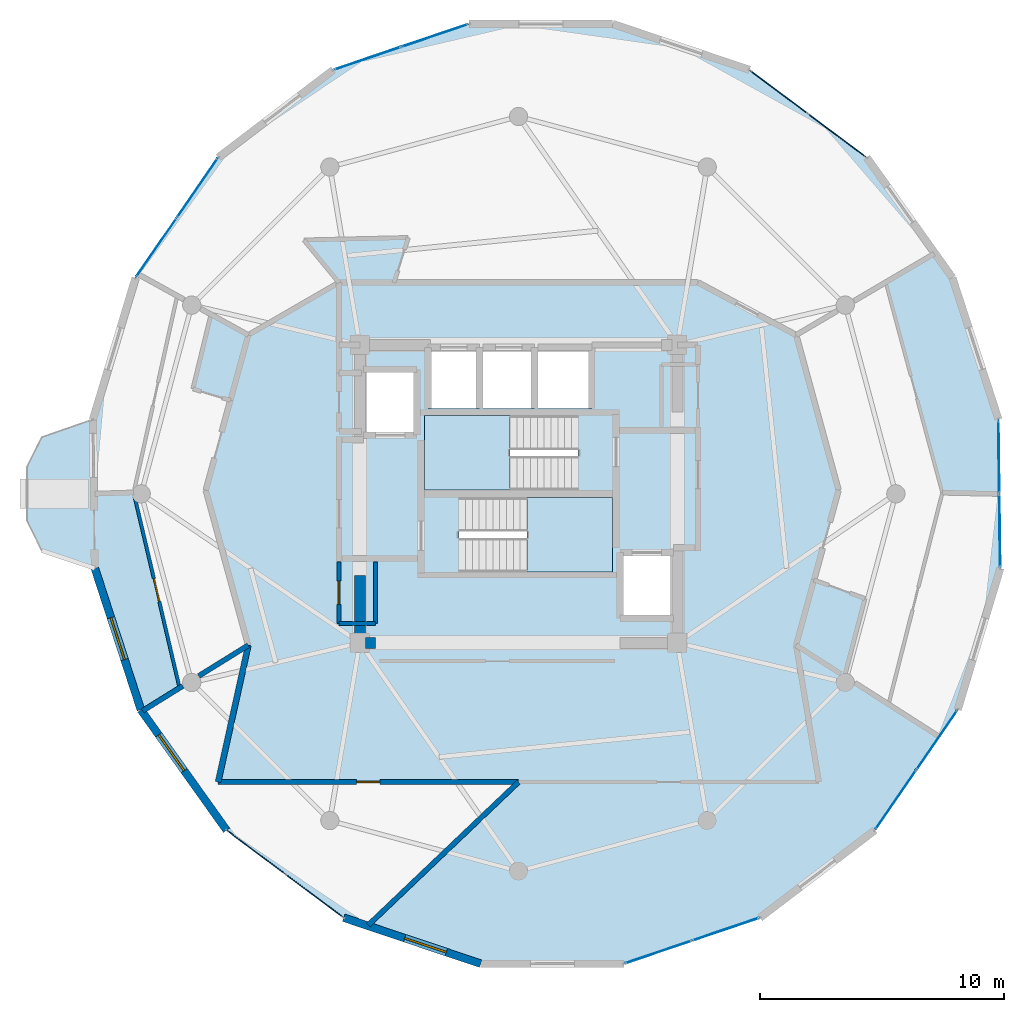
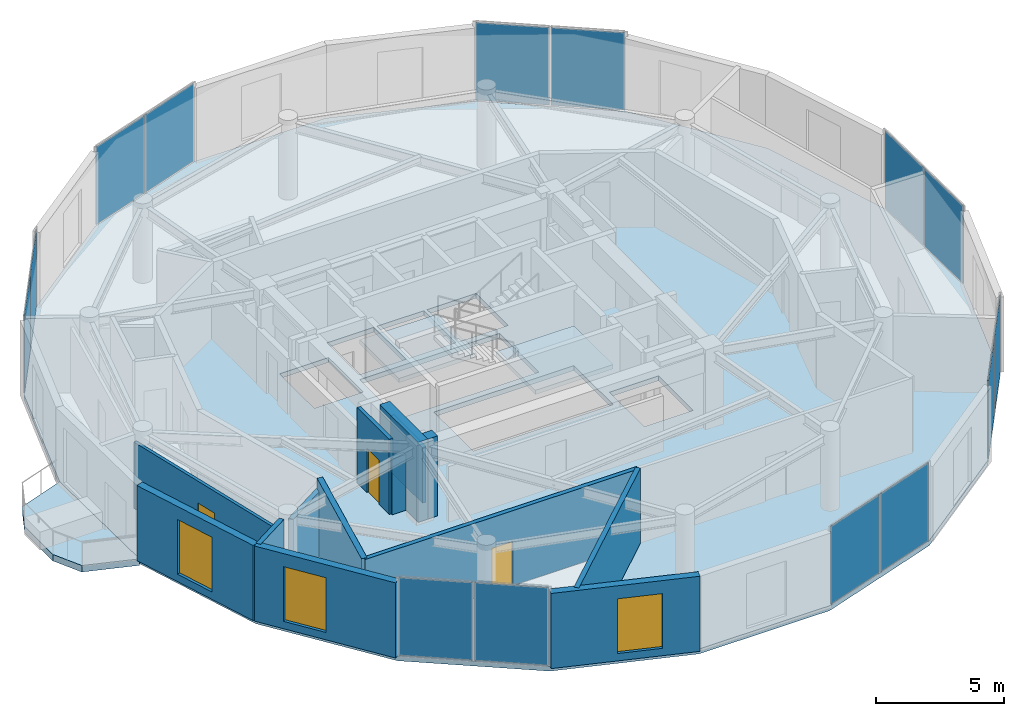
# One storey, part 13 of 18: 14 plates, 14 walls, 4 slabs, 3 doors, 3 windows, 6 openings, 9 elements without a shape of their own.
"""IFC4 building model written with IfcOpenShell, lengths in metres."""

from ifc_helpers import new_model, si_unit, direction, frame, frame_2d, origin, origin_2d, place, context, subcontext, project, spatial, polyline, rectangle, outline, extrude, source, transform, mapped, material, layer, layer_set, type_object, element, fill, aggregate, save


model = new_model("IFC4")

# Units and contexts
model_context = context("Model", 3, precision=1e-05, world=origin(), true_north=direction((0.0, 1.0)))
body_context = subcontext(model_context, "Body", "Model", "MODEL_VIEW")
ifc_project = project(units=[si_unit("LENGTHUNIT", "METRE"), si_unit("AREAUNIT", "SQUARE_METRE"), si_unit("VOLUMEUNIT", "CUBIC_METRE"), si_unit("PLANEANGLEUNIT", "RADIAN"), si_unit("MASSUNIT", "GRAM", prefix="KILO")], contexts=[model_context])

# Site, building, storey
site_placement = place(None, origin())
site = spatial("IfcSite", under=ifc_project, at=site_placement, CompositionType="ELEMENT")
building_placement = place(site_placement, origin())
building = spatial("IfcBuilding", under=site, at=building_placement, Name="Solvirekh Grand Hotel", CompositionType="ELEMENT")
storey_placement = place(building_placement, frame((0.0, 0.0, 250.60009765625)))
storey = spatial("IfcBuildingStorey", under=building, at=storey_placement, Name="L65", CompositionType="ELEMENT", Elevation=250.60009765625)

# Slab
ifc_material_1 = material(Name="Concrete C50/60", Category="concrete")
ifc_layer_1 = layer(ifc_material_1, 0.31005859375)
ifc_layer_set_1 = layer_set([ifc_layer_1], Name="Concrete C50/60")
slab_type_1 = type_object("IfcSlabType", Name="ExtHornSkyGarden_310", PredefinedType="FLOOR", material=ifc_layer_set_1)
slab_1_placement = place(storey_placement, frame((0.0, 0.0, -0.31005859375)))
element("IfcSlab", 1, at=slab_1_placement, inside=storey, type_object=slab_type_1, Name="L65 west horn sky-garden deck", PredefinedType="FLOOR", context=body_context, shape_type="SweptSolid", body=[
    extrude(outline(polyline([(-19.52490234375, 2.31396484375), (-20.125, 1.094970703125), (-20.125, -1.09912109375), (-19.52490234375, -2.318115234375), (-17.35009765625, -3.049072265625), (-17.425048828125, 3.044921875), (-19.52490234375, 2.31396484375)])), origin(), (0.0, 0.0, 1.0), 0.31005859375),
])

# Stair, slab
ifc_material_2 = material(Name="Concrete C40/50", Category="concrete")
stair_type = type_object("IfcStairType", Name="Stair_Core_1450", PredefinedType="HALF_TURN_STAIR", material=ifc_material_2)
stair_1_placement = place(storey_placement, origin())
stair_1 = element("IfcStair", 2, at=stair_1_placement, inside=storey, type_object=stair_type, Name="L65 Enclosed exit stair ST-1", PredefinedType="HALF_TURN_STAIR")
ifc_layer_2 = layer(ifc_material_2, 0.199951171875)
ifc_layer_set_2 = layer_set([ifc_layer_2], Name="Concrete C40/50")
slab_type_2 = type_object("IfcSlabType", Name="Landing_Stair_200", PredefinedType="LANDING", material=ifc_layer_set_2)
slab_2_placement = place(storey_placement, frame((0.0, 0.0, 1.699951171875)))
slab_2 = element("IfcSlab", 3, at=slab_2_placement, type_object=slab_type_2, Name="ST-1 landing 1", PredefinedType="LANDING", context=body_context, shape_type="SweptSolid", body=[
    extrude(outline(polyline([(0.35009765625, -3.199951171875), (3.85009765625, -3.199951171875), (3.85009765625, -0.14990234375), (0.35009765625, -0.14990234375), (0.35009765625, -3.199951171875)])), origin(), (0.0, 0.0, 1.0), 0.199951171875),
])
aggregate(stair_1, [slab_2])

stair_2_placement = place(storey_placement, origin())
stair_2 = element("IfcStair", 4, at=stair_2_placement, inside=storey, type_object=stair_type, Name="L65 Enclosed exit stair ST-2", PredefinedType="HALF_TURN_STAIR")
slab_3_placement = place(storey_placement, frame((0.0, 0.0, 1.699951171875)))
slab_3 = element("IfcSlab", 5, at=slab_3_placement, type_object=slab_type_2, Name="ST-2 landing 1", PredefinedType="LANDING", context=body_context, shape_type="SweptSolid", body=[
    extrude(outline(polyline([(-0.35009765625, 3.199951171875), (-3.85009765625, 3.199951171875), (-3.85009765625, 0.14990234375), (-0.35009765625, 0.14990234375), (-0.35009765625, 3.199951171875)])), origin(), (0.0, 0.0, 1.0), 0.199951171875),
])
aggregate(stair_2, [slab_3])

# Slab
ifc_layer_3 = layer(ifc_material_2, 0.22998046875)
ifc_layer_set_3 = layer_set([ifc_layer_3], Name="Concrete C40/50")
slab_type_3 = type_object("IfcSlabType", Name="Slab_GuestZ4_230", PredefinedType="FLOOR", material=ifc_layer_set_3)
slab_4_placement = place(storey_placement, frame((0.0, 0.0, -0.22998046875)))
element("IfcSlab", 6, at=slab_4_placement, inside=storey, type_object=slab_type_3, Name="L65 structural floor slab", PredefinedType="FLOOR", context=body_context, shape_type="SweptSolid", body=[
    extrude(outline(polyline([(4.321044921875, -19.239990234375), (9.883056640625, -17.35595703125), (14.590087890625, -13.77294921875), (17.98095703125, -8.842041015625), (19.72509765625, -3.044921875), (19.64990234375, 3.049072265625), (17.764892578125, 8.845947265625), (14.2529296875, 13.77587890625), (9.458984375, 17.35791015625), (3.85107421875, 19.240966796875), (-2.02099609375, 19.239990234375), (-7.5830078125, 17.35595703125), (-12.2900390625, 13.77294921875), (-15.680908203125, 8.842041015625), (-17.425048828125, 3.044921875), (-17.35009765625, -3.049072265625), (-15.465087890625, -8.845947265625), (-11.952880859375, -13.77587890625), (-7.158935546875, -17.35791015625), (-1.551025390625, -19.240966796875), (4.321044921875, -19.239990234375)]), holes=[polyline([(-2.444091796875, -0.14990234375), (3.85009765625, -0.14990234375), (3.85009765625, -3.199951171875), (-2.444091796875, -3.199951171875), (-2.444091796875, -0.14990234375)]), polyline([(2.444091796875, 0.14990234375), (-3.85009765625, 0.14990234375), (-3.85009765625, 3.199951171875), (2.444091796875, 3.199951171875), (2.444091796875, 0.14990234375)]), polyline([(-3.699951171875, 6.0), (-1.60009765625, 6.0), (-1.60009765625, 3.5), (-3.699951171875, 3.5), (-3.699951171875, 6.0)]), polyline([(-1.449951171875, 6.0), (0.64990234375, 6.0), (0.64990234375, 3.5), (-1.449951171875, 3.5), (-1.449951171875, 6.0)]), polyline([(0.800048828125, 6.0), (3.0, 6.0), (3.0, 3.5), (0.800048828125, 3.5), (0.800048828125, 6.0)]), polyline([(-6.35009765625, 5.10009765625), (-4.14990234375, 5.10009765625), (-4.14990234375, 2.39990234375), (-6.35009765625, 2.39990234375), (-6.35009765625, 5.10009765625)]), polyline([(4.14990234375, -2.39990234375), (6.35009765625, -2.39990234375), (6.35009765625, -5.10009765625), (4.14990234375, -5.10009765625), (4.14990234375, -2.39990234375)])]), origin(), (0.0, 0.0, 1.0), 0.22998046875),
])

# Curtain wall, plates
ifc_material_3 = material(Name="Anodized Bronze Aluminium 6063-T6", Category="aluminium")
ifc_layer_4 = layer(ifc_material_3, 0.159912109375)
ifc_layer_set_4 = layer_set([ifc_layer_4], Name="Anodized Bronze Aluminium 6063-T6")
curtain_wall_type = type_object("IfcCurtainWallType", Name="CW_Sys4_HighZoneFlushBronzeCW", PredefinedType="NOTDEFINED", material=ifc_layer_set_4)
curtain_wall_1_placement = place(storey_placement, origin())
curtain_wall_1 = element("IfcCurtainWall", 7, at=curtain_wall_1_placement, inside=storey, type_object=curtain_wall_type, Name="L65 unitised bronze-glass curtain wall CW-L65-C03", PredefinedType="NOTDEFINED")
ifc_material_4 = material(Name="Low-E Tinted Bronze Laminated Glass", Category="aluminium")
ifc_layer_5 = layer(ifc_material_4, 0.033935546875)
ifc_layer_set_5 = layer_set([ifc_layer_5], Name="Low-E Tinted Bronze Laminated Glass")
plate_type = type_object("IfcPlateType", Name="CWPanel_High_34", PredefinedType="CURTAIN_PANEL", material=ifc_layer_set_5)
shared_shape_1 = source(origin(), body_context, "Body", "SweptSolid", [
    extrude(rectangle(XDim=2.90234375, YDim=0.033935546875, at=origin_2d()), origin(), (0.0, 0.0, 1.0), 3.68994140625),
])
plate_1_placement = place(storey_placement, frame((15.4462890625, -12.52783203125, 0.054931640625), z_axis=(0.0, 0.0, 1.0), x_axis=(0.566635194661, 0.823968783493, 0.0)))
plate_1 = element("IfcPlate", 8, at=plate_1_placement, type_object=plate_type, Name="U04 panel 1.1", PredefinedType="CURTAIN_PANEL", context=body_context, shape_type="MappedRepresentation", body=[
    mapped(shared_shape_1, transform((0.0, 0.0, 0.0), x_axis=(1.0, 0.0, 0.0), y_axis=(0.0, 1.0, 0.0), z_axis=(0.0, 0.0, 1.0), scale=1.0)),
])
plate_2_placement = place(storey_placement, frame((17.124755859375, -10.087158203125, 0.054931640625), z_axis=(0.0, 0.0, 1.0), x_axis=(0.566635194661, 0.823968783493, 0.0)))
plate_2 = element("IfcPlate", 9, at=plate_2_placement, type_object=plate_type, Name="U04 panel 2.1", PredefinedType="CURTAIN_PANEL", context=body_context, shape_type="MappedRepresentation", body=[
    mapped(shared_shape_1, transform((0.0, 0.0, 0.0), x_axis=(1.0, 0.0, 0.0), y_axis=(0.0, 1.0, 0.0), z_axis=(0.0, 0.0, 1.0), scale=1.0)),
])
aggregate(curtain_wall_1, [plate_1, plate_2])

curtain_wall_2_placement = place(storey_placement, origin())
curtain_wall_2 = element("IfcCurtainWall", 10, at=curtain_wall_2_placement, inside=storey, type_object=curtain_wall_type, Name="L65 unitised bronze-glass curtain wall CW-L65-C13", PredefinedType="NOTDEFINED")
plate_3_placement = place(storey_placement, frame((-13.146240234375, 12.52783203125, 0.054931640625), z_axis=(0.0, 0.0, 1.0), x_axis=(-0.566635194661, -0.823968783493, 0.0)))
plate_3 = element("IfcPlate", 11, at=plate_3_placement, type_object=plate_type, Name="U04 panel 1.1", PredefinedType="CURTAIN_PANEL", context=body_context, shape_type="MappedRepresentation", body=[
    mapped(shared_shape_1, transform((0.0, 0.0, 0.0), x_axis=(1.0, 0.0, 0.0), y_axis=(0.0, 1.0, 0.0), z_axis=(0.0, 0.0, 1.0), scale=1.0)),
])
plate_4_placement = place(storey_placement, frame((-14.82470703125, 10.087158203125, 0.054931640625), z_axis=(0.0, 0.0, 1.0), x_axis=(-0.566635194661, -0.823968783493, 0.0)))
plate_4 = element("IfcPlate", 12, at=plate_4_placement, type_object=plate_type, Name="U04 panel 2.1", PredefinedType="CURTAIN_PANEL", context=body_context, shape_type="MappedRepresentation", body=[
    mapped(shared_shape_1, transform((0.0, 0.0, 0.0), x_axis=(1.0, 0.0, 0.0), y_axis=(0.0, 1.0, 0.0), z_axis=(0.0, 0.0, 1.0), scale=1.0)),
])
aggregate(curtain_wall_2, [plate_3, plate_4])

curtain_wall_3_placement = place(storey_placement, origin())
curtain_wall_3 = element("IfcCurtainWall", 13, at=curtain_wall_3_placement, inside=storey, type_object=curtain_wall_type, Name="L65 unitised bronze-glass curtain wall CW-L65-C01", PredefinedType="NOTDEFINED")
shared_shape_2 = source(origin(), body_context, "Body", "SweptSolid", [
    extrude(rectangle(XDim=2.84619140625, YDim=0.033935546875, at=origin_2d()), origin(), (0.0, 0.0, 1.0), 3.68994140625),
])
plate_5_placement = place(storey_placement, frame((5.7255859375, -18.76416015625, 0.054931640625), z_axis=(0.0, 0.0, 1.0), x_axis=(0.947139568225, 0.32082181706, 0.0)))
plate_5 = element("IfcPlate", 14, at=plate_5_placement, type_object=plate_type, Name="U04 panel 1.1", PredefinedType="CURTAIN_PANEL", context=body_context, shape_type="MappedRepresentation", body=[
    mapped(shared_shape_2, transform((0.0, 0.0, 0.0), x_axis=(1.0, 0.0, 0.0), y_axis=(0.0, 1.0, 0.0), z_axis=(0.0, 0.0, 1.0), scale=1.0)),
])
plate_6_placement = place(storey_placement, frame((8.478271484375, -17.831787109375, 0.054931640625), z_axis=(0.0, 0.0, 1.0), x_axis=(0.947139568225, 0.32082181706, 0.0)))
plate_6 = element("IfcPlate", 15, at=plate_6_placement, type_object=plate_type, Name="U04 panel 2.1", PredefinedType="CURTAIN_PANEL", context=body_context, shape_type="MappedRepresentation", body=[
    mapped(shared_shape_2, transform((0.0, 0.0, 0.0), x_axis=(1.0, 0.0, 0.0), y_axis=(0.0, 1.0, 0.0), z_axis=(0.0, 0.0, 1.0), scale=1.0)),
])
aggregate(curtain_wall_3, [plate_5, plate_6])

curtain_wall_4_placement = place(storey_placement, origin())
curtain_wall_4 = element("IfcCurtainWall", 16, at=curtain_wall_4_placement, inside=storey, type_object=curtain_wall_type, Name="L65 unitised bronze-glass curtain wall CW-L65-C11", PredefinedType="NOTDEFINED")
plate_7_placement = place(storey_placement, frame((-3.42578125, 18.76416015625, 0.054931640625), z_axis=(0.0, 0.0, 1.0), x_axis=(-0.947139568225, -0.32082181706, 0.0)))
plate_7 = element("IfcPlate", 17, at=plate_7_placement, type_object=plate_type, Name="U04 panel 1.1", PredefinedType="CURTAIN_PANEL", context=body_context, shape_type="MappedRepresentation", body=[
    mapped(shared_shape_2, transform((0.0, 0.0, 0.0), x_axis=(1.0, 0.0, 0.0), y_axis=(0.0, 1.0, 0.0), z_axis=(0.0, 0.0, 1.0), scale=1.0)),
])
plate_8_placement = place(storey_placement, frame((-6.17822265625, 17.831787109375, 0.054931640625), z_axis=(0.0, 0.0, 1.0), x_axis=(-0.947139568225, -0.32082181706, 0.0)))
plate_8 = element("IfcPlate", 18, at=plate_8_placement, type_object=plate_type, Name="U04 panel 2.1", PredefinedType="CURTAIN_PANEL", context=body_context, shape_type="MappedRepresentation", body=[
    mapped(shared_shape_2, transform((0.0, 0.0, 0.0), x_axis=(1.0, 0.0, 0.0), y_axis=(0.0, 1.0, 0.0), z_axis=(0.0, 0.0, 1.0), scale=1.0)),
])
aggregate(curtain_wall_4, [plate_7, plate_8])

curtain_wall_5_placement = place(storey_placement, origin())
curtain_wall_5 = element("IfcCurtainWall", 19, at=curtain_wall_5_placement, inside=storey, type_object=curtain_wall_type, Name="L65 unitised bronze-glass curtain wall CW-L65-C05", PredefinedType="NOTDEFINED")
shared_shape_3 = source(origin(), body_context, "Body", "SweptSolid", [
    extrude(rectangle(XDim=2.957275390625, YDim=0.033935546875, at=origin_2d()), origin(), (0.0, 0.0, 1.0), 3.68994140625),
])
plate_9_placement = place(storey_placement, frame((19.7060546875, -1.506591796875, 0.054931640625), z_axis=(0.0, 0.0, 1.0), x_axis=(-0.012306255446, 0.999924275171, 0.0)))
plate_9 = element("IfcPlate", 20, at=plate_9_placement, type_object=plate_type, Name="U04 panel 1.1", PredefinedType="CURTAIN_PANEL", context=body_context, shape_type="MappedRepresentation", body=[
    mapped(shared_shape_3, transform((0.0, 0.0, 0.0), x_axis=(1.0, 0.0, 0.0), y_axis=(0.0, 1.0, 0.0), z_axis=(0.0, 0.0, 1.0), scale=1.0)),
])
plate_10_placement = place(storey_placement, frame((19.6689453125, 1.510498046875, 0.054931640625), z_axis=(0.0, 0.0, 1.0), x_axis=(-0.012306255446, 0.999924275171, 0.0)))
plate_10 = element("IfcPlate", 21, at=plate_10_placement, type_object=plate_type, Name="U04 panel 2.1", PredefinedType="CURTAIN_PANEL", context=body_context, shape_type="MappedRepresentation", body=[
    mapped(shared_shape_3, transform((0.0, 0.0, 0.0), x_axis=(1.0, 0.0, 0.0), y_axis=(0.0, 1.0, 0.0), z_axis=(0.0, 0.0, 1.0), scale=1.0)),
])
aggregate(curtain_wall_5, [plate_9, plate_10])

curtain_wall_6_placement = place(storey_placement, origin())
curtain_wall_6 = element("IfcCurtainWall", 22, at=curtain_wall_6_placement, inside=storey, type_object=curtain_wall_type, Name="L65 unitised bronze-glass curtain wall CW-L65-C08", PredefinedType="NOTDEFINED")
shared_shape_4 = source(origin(), body_context, "Body", "SweptSolid", [
    extrude(rectangle(XDim=2.902099609375, YDim=0.033935546875, at=origin_2d()), origin(), (0.0, 0.0, 1.0), 3.68994140625),
])
plate_11_placement = place(storey_placement, frame((13.04248046875, 14.680419921875, 0.054931640625), z_axis=(0.0, 0.0, 1.0), x_axis=(-0.801081510791, 0.598555271523, 0.0)))
plate_11 = element("IfcPlate", 23, at=plate_11_placement, type_object=plate_type, Name="U04 panel 1.1", PredefinedType="CURTAIN_PANEL", context=body_context, shape_type="MappedRepresentation", body=[
    mapped(shared_shape_4, transform((0.0, 0.0, 0.0), x_axis=(1.0, 0.0, 0.0), y_axis=(0.0, 1.0, 0.0), z_axis=(0.0, 0.0, 1.0), scale=1.0)),
])
plate_12_placement = place(storey_placement, frame((10.66943359375, 16.45361328125, 0.054931640625), z_axis=(0.0, 0.0, 1.0), x_axis=(-0.801081510791, 0.598555271523, 0.0)))
plate_12 = element("IfcPlate", 24, at=plate_12_placement, type_object=plate_type, Name="U04 panel 2.1", PredefinedType="CURTAIN_PANEL", context=body_context, shape_type="MappedRepresentation", body=[
    mapped(shared_shape_4, transform((0.0, 0.0, 0.0), x_axis=(1.0, 0.0, 0.0), y_axis=(0.0, 1.0, 0.0), z_axis=(0.0, 0.0, 1.0), scale=1.0)),
])
aggregate(curtain_wall_6, [plate_11, plate_12])

curtain_wall_7_placement = place(storey_placement, origin())
curtain_wall_7 = element("IfcCurtainWall", 25, at=curtain_wall_7_placement, inside=storey, type_object=curtain_wall_type, Name="L65 unitised bronze-glass curtain wall CW-L65-C18", PredefinedType="NOTDEFINED")
plate_13_placement = place(storey_placement, frame((-10.742431640625, -14.680419921875, 0.054931640625), z_axis=(0.0, 0.0, 1.0), x_axis=(0.801081510791, -0.598555271523, 0.0)))
plate_13 = element("IfcPlate", 26, at=plate_13_placement, type_object=plate_type, Name="U04 panel 1.1", PredefinedType="CURTAIN_PANEL", context=body_context, shape_type="MappedRepresentation", body=[
    mapped(shared_shape_4, transform((0.0, 0.0, 0.0), x_axis=(1.0, 0.0, 0.0), y_axis=(0.0, 1.0, 0.0), z_axis=(0.0, 0.0, 1.0), scale=1.0)),
])
plate_14_placement = place(storey_placement, frame((-8.36962890625, -16.45361328125, 0.054931640625), z_axis=(0.0, 0.0, 1.0), x_axis=(0.801081510791, -0.598555271523, 0.0)))
plate_14 = element("IfcPlate", 27, at=plate_14_placement, type_object=plate_type, Name="U04 panel 2.1", PredefinedType="CURTAIN_PANEL", context=body_context, shape_type="MappedRepresentation", body=[
    mapped(shared_shape_4, transform((0.0, 0.0, 0.0), x_axis=(1.0, 0.0, 0.0), y_axis=(0.0, 1.0, 0.0), z_axis=(0.0, 0.0, 1.0), scale=1.0)),
])
aggregate(curtain_wall_7, [plate_13, plate_14])

# Walls
ifc_layer_6 = layer(ifc_material_1, 0.449951171875)
ifc_layer_set_6 = layer_set([ifc_layer_6], Name="Concrete C50/60")
wall_type_1 = type_object("IfcWallType", Name="CoreWall_RC450", PredefinedType="SHEAR", material=ifc_layer_set_6)
wall_1_placement = place(storey_placement, frame((-6.27490234375, -6.10009765625, 0.0), z_axis=(0.0, 0.0, 1.0), x_axis=(1.0, 0.0, 0.0)))
element("IfcWall", 28, at=wall_1_placement, inside=storey, type_object=wall_type_1, Name="L65 core corner shear wall SW-S", PredefinedType="SHEAR", context=body_context, shape_type="SweptSolid", body=[
    extrude(rectangle(XDim=0.4248046875, YDim=0.449951171875, at=frame_2d((0.21240234375, 0.0))), origin(), (0.0, 0.0, 1.0), 3.7998046875),
])
wall_2_placement = place(storey_placement, frame((-6.5, -6.324951171875, 0.0), z_axis=(0.0, 0.0, 1.0), x_axis=(0.0, 1.0, 0.0)))
element("IfcWall", 29, at=wall_2_placement, inside=storey, type_object=wall_type_1, Name="L65 core corner shear wall WS-W", PredefinedType="SHEAR", context=body_context, shape_type="SweptSolid", body=[
    extrude(rectangle(XDim=2.974853515625, YDim=0.449951171875, at=frame_2d((1.4873046875, 0.0))), origin(), (0.0, 0.0, 1.0), 3.7998046875),
])

# Wall, opening, window
ifc_material_5 = material(Name="Precast concrete C45/55", Category="concrete")
ifc_layer_7 = layer(ifc_material_5, 0.320068359375)
ifc_layer_set_7 = layer_set([ifc_layer_7], Name="Precast concrete C45/55")
wall_type_2 = type_object("IfcWallType", Name="ExtLobbyWall_RC320", PredefinedType="SOLIDWALL", material=ifc_layer_set_7)
wall_3_placement = place(storey_placement, frame((-15.465087890625, -8.845947265625, 0.0), z_axis=(0.0, 0.0, 1.0), x_axis=(-0.309238214559, 0.950984609053, 0.0)))
wall_3 = element("IfcWall", 30, at=wall_3_placement, inside=storey, type_object=wall_type_2, Name="L65 exterior structural wall chord 16", PredefinedType="SOLIDWALL", context=body_context, shape_type="SweptSolid", body=[
    extrude(rectangle(XDim=6.095703125, YDim=0.320068359375, at=frame_2d((3.0478515625, 0.0))), origin(), (0.0, 0.0, 1.0), 3.56982421875),
])
opening_1_placement = place(wall_3_placement, frame((2.16796875, 0.0, 0.35009765625)))
opening_1 = element("IfcOpeningElement", 31, at=opening_1_placement, cuts=wall_3, Name="Opening W02", PredefinedType="OPENING", context=body_context, shape_type="SweptSolid", body=[
    extrude(rectangle(XDim=1.800048828125, YDim=2.60009765625, at=frame_2d((0.89990234375, 1.300048828125))), frame((0.0, 0.169921875, 0.0), z_axis=(0.0, -1.0, 0.0), x_axis=(1.0, 0.0, 0.0)), (0.0, 0.0, 1.0), 0.340087890625),
])
window_type = type_object("IfcWindowType", Name="Win_LobbyExt_1800X2600", PartitioningType="SINGLE_PANEL", PredefinedType="WINDOW", material=ifc_material_4)
window_1_placement = place(opening_1_placement, origin())
window_1 = element("IfcWindow", 32, at=window_1_placement, inside=storey, type_object=window_type, Name="L65 panoramic bronze-framed window 16", OverallHeight=2.60009765625, OverallWidth=1.800048828125, PartitioningType="SINGLE_PANEL", PredefinedType="WINDOW", context=body_context, shape_type="SweptSolid", body=[
    extrude(rectangle(XDim=1.800048828125, YDim=2.60009765625, at=frame_2d((0.89990234375, 1.300048828125))), frame((0.0, 0.030029296875, 0.0), z_axis=(0.0, -1.0, 0.0), x_axis=(1.0, 0.0, 0.0)), (0.0, 0.0, 1.0), 0.06005859375),
])
fill(opening_1, window_1)

wall_4_placement = place(storey_placement, frame((-11.952880859375, -13.77587890625, 0.0), z_axis=(0.0, 0.0, 1.0), x_axis=(-0.580234325627, 0.814449585526, 0.0)))
wall_4 = element("IfcWall", 33, at=wall_4_placement, inside=storey, type_object=wall_type_2, Name="L65 exterior structural wall chord 17", PredefinedType="SOLIDWALL", context=body_context, shape_type="SweptSolid", body=[
    extrude(rectangle(XDim=6.052978515625, YDim=0.320068359375, at=frame_2d((3.0263671875, 0.0))), origin(), (0.0, 0.0, 1.0), 3.56982421875),
])
opening_2_placement = place(wall_4_placement, frame((2.993896484375, 0.0, 0.35009765625)))
opening_2 = element("IfcOpeningElement", 34, at=opening_2_placement, cuts=wall_4, Name="Opening W02", PredefinedType="OPENING", context=body_context, shape_type="SweptSolid", body=[
    extrude(rectangle(XDim=1.800048828125, YDim=2.60009765625, at=frame_2d((0.89990234375, 1.300048828125))), frame((0.0, 0.169921875, 0.0), z_axis=(0.0, -1.0, 0.0), x_axis=(1.0, 0.0, 0.0)), (0.0, 0.0, 1.0), 0.340087890625),
])
window_2_placement = place(opening_2_placement, origin())
window_2 = element("IfcWindow", 35, at=window_2_placement, inside=storey, type_object=window_type, Name="L65 panoramic bronze-framed window 17", OverallHeight=2.60009765625, OverallWidth=1.800048828125, PartitioningType="SINGLE_PANEL", PredefinedType="WINDOW", context=body_context, shape_type="SweptSolid", body=[
    extrude(rectangle(XDim=1.800048828125, YDim=2.60009765625, at=frame_2d((0.89990234375, 1.300048828125))), frame((0.0, 0.030029296875, 0.0), z_axis=(0.0, -1.0, 0.0), x_axis=(1.0, 0.0, 0.0)), (0.0, 0.0, 1.0), 0.06005859375),
])
fill(opening_2, window_2)

wall_5_placement = place(storey_placement, frame((-1.551025390625, -19.240966796875, 0.0), z_axis=(0.0, 0.0, 1.0), x_axis=(-0.947983518986, 0.31831941149, 0.0)))
wall_5 = element("IfcWall", 36, at=wall_5_placement, inside=storey, type_object=wall_type_2, Name="L65 exterior structural wall chord 19", PredefinedType="SOLIDWALL", context=body_context, shape_type="SweptSolid", body=[
    extrude(rectangle(XDim=5.91552734375, YDim=0.320068359375, at=frame_2d((2.957763671875, 0.0))), origin(), (0.0, 0.0, 1.0), 3.56982421875),
])
opening_3_placement = place(wall_5_placement, frame((1.48095703125, 0.0, 0.35009765625)))
opening_3 = element("IfcOpeningElement", 37, at=opening_3_placement, cuts=wall_5, Name="Opening W02", PredefinedType="OPENING", context=body_context, shape_type="SweptSolid", body=[
    extrude(rectangle(XDim=1.800048828125, YDim=2.60009765625, at=frame_2d((0.89990234375, 1.300048828125))), frame((0.0, 0.169921875, 0.0), z_axis=(0.0, -1.0, 0.0), x_axis=(1.0, 0.0, 0.0)), (0.0, 0.0, 1.0), 0.340087890625),
])
window_3_placement = place(opening_3_placement, origin())
window_3 = element("IfcWindow", 38, at=window_3_placement, inside=storey, type_object=window_type, Name="L65 panoramic bronze-framed window 19", OverallHeight=2.60009765625, OverallWidth=1.800048828125, PartitioningType="SINGLE_PANEL", PredefinedType="WINDOW", context=body_context, shape_type="SweptSolid", body=[
    extrude(rectangle(XDim=1.800048828125, YDim=2.60009765625, at=frame_2d((0.89990234375, 1.300048828125))), frame((0.0, 0.030029296875, 0.0), z_axis=(0.0, -1.0, 0.0), x_axis=(1.0, 0.0, 0.0)), (0.0, 0.0, 1.0), 0.06005859375),
])
fill(opening_3, window_3)

# Walls
ifc_material_6 = material(Name="Acoustic Gypsum Partition Assembly")
ifc_layer_8 = layer(ifc_material_6, 0.1650390625)
ifc_layer_set_8 = layer_set([ifc_layer_8], Name="Acoustic Gypsum Partition Assembly")
wall_type_3 = type_object("IfcWallType", Name="Part_BOH_165", PredefinedType="PARTITIONING", material=ifc_layer_set_8)
wall_6_placement = place(storey_placement, frame((-7.35009765625, -5.300048828125, 0.0), z_axis=(0.0, 0.0, 1.0), x_axis=(1.0, 0.0, 0.0)))
element("IfcWall", 39, at=wall_6_placement, inside=storey, type_object=wall_type_3, Name="L65 L65 Core Linen Store wall 1", PredefinedType="PARTITIONING", context=body_context, shape_type="SweptSolid", body=[
    extrude(rectangle(XDim=1.5, YDim=0.1650390625, at=frame_2d((0.75, 0.0))), origin(), (0.0, 0.0, 1.0), 2.65478515625),
])
wall_7_placement = place(storey_placement, frame((-5.85009765625, -5.300048828125, 0.0), z_axis=(0.0, 0.0, 1.0), x_axis=(0.0, 1.0, 0.0)))
element("IfcWall", 40, at=wall_7_placement, inside=storey, type_object=wall_type_3, Name="L65 L65 Core Linen Store wall 2", PredefinedType="PARTITIONING", context=body_context, shape_type="SweptSolid", body=[
    extrude(rectangle(XDim=2.5, YDim=0.1650390625, at=frame_2d((1.25, 0.0))), origin(), (0.0, 0.0, 1.0), 2.65478515625),
])

# Wall, opening, door
wall_8_placement = place(storey_placement, frame((-7.35009765625, -2.800048828125, 0.0), z_axis=(0.0, 0.0, 1.0), x_axis=(0.0, -1.0, 0.0)))
wall_8 = element("IfcWall", 41, at=wall_8_placement, inside=storey, type_object=wall_type_3, Name="L65 L65 Core Linen Store wall 4", PredefinedType="PARTITIONING", context=body_context, shape_type="SweptSolid", body=[
    extrude(rectangle(XDim=2.5, YDim=0.1650390625, at=frame_2d((1.25, 0.0))), origin(), (0.0, 0.0, 1.0), 3.56982421875),
])
opening_4_placement = place(wall_8_placement, frame((0.77490234375, 0.0, 0.0)))
opening_4 = element("IfcOpeningElement", 42, at=opening_4_placement, cuts=wall_8, Name="Opening D10", PredefinedType="OPENING", context=body_context, shape_type="SweptSolid", body=[
    extrude(rectangle(XDim=0.949951171875, YDim=2.10009765625, at=frame_2d((0.47509765625, 1.050048828125))), frame((0.0, 0.092529296875, 0.0), z_axis=(0.0, -1.0, 0.0), x_axis=(1.0, 0.0, 0.0)), (0.0, 0.0, 1.0), 0.18505859375),
])
door_type = type_object("IfcDoorType", Name="Door_RoomInt_950X2100", OperationType="NOTDEFINED", PredefinedType="DOOR", material=ifc_material_3)
door_1_placement = place(opening_4_placement, origin())
door_1 = element("IfcDoor", 43, at=door_1_placement, inside=storey, type_object=door_type, Name="L65 L65 Core Linen Store door", OperationType="SINGLE_SWING_RIGHT", OverallHeight=2.10009765625, OverallWidth=0.949951171875, PredefinedType="DOOR", context=body_context, shape_type="SweptSolid", body=[
    extrude(rectangle(XDim=0.949951171875, YDim=2.10009765625, at=frame_2d((0.47509765625, 1.050048828125))), frame((0.0, 0.02490234375, 0.0), z_axis=(0.0, -1.0, 0.0), x_axis=(1.0, 0.0, 0.0)), (0.0, 0.0, 1.0), 0.050048828125),
])
fill(opening_4, door_1)

# Wall
ifc_layer_9 = layer(ifc_material_6, 0.239990234375)
ifc_layer_set_9 = layer_set([ifc_layer_9], Name="Acoustic Gypsum Partition Assembly")
wall_type_4 = type_object("IfcWallType", Name="Part_Corridor_240", PredefinedType="PARTITIONING", material=ifc_layer_set_9)
wall_9_placement = place(storey_placement, frame((-11.06494140625, -6.199951171875, 0.0), z_axis=(0.0, 0.0, 1.0), x_axis=(-0.215375028734, -0.976531411168, 0.0)))
element("IfcWall", 44, at=wall_9_placement, inside=storey, type_object=wall_type_4, Name="L65 L65 Cloud View Resident Lounge corridor wall 1", PredefinedType="PARTITIONING", context=body_context, shape_type="SweptSolid", body=[
    extrude(rectangle(XDim=5.734619140625, YDim=0.239990234375, at=frame_2d((2.8671875, 0.0))), origin(), (0.0, 0.0, 1.0), 3.56982421875),
])

# Wall, opening, door
ifc_layer_10 = layer(ifc_material_6, 0.18994140625)
ifc_layer_set_10 = layer_set([ifc_layer_10], Name="Acoustic Gypsum Partition Assembly")
wall_type_5 = type_object("IfcWallType", Name="Part_GuestDemise_190", PredefinedType="PARTITIONING", material=ifc_layer_set_10)
wall_10_placement = place(storey_placement, frame((-12.300048828125, -11.800048828125, 0.0), z_axis=(0.0, 0.0, 1.0), x_axis=(1.0, 0.0, 0.0)))
wall_10 = element("IfcWall", 45, at=wall_10_placement, inside=storey, type_object=wall_type_5, Name="L65 L65 Cloud View Resident Lounge entrance wall", PredefinedType="PARTITIONING", context=body_context, shape_type="SweptSolid", body=[
    extrude(rectangle(XDim=12.300048828125, YDim=0.18994140625, at=frame_2d((6.14990234375, 0.0))), origin(), (0.0, 0.0, 1.0), 3.56982421875),
])
opening_5_placement = place(wall_10_placement, frame((5.675048828125, 0.0, 0.0)))
opening_5 = element("IfcOpeningElement", 46, at=opening_5_placement, cuts=wall_10, Name="Opening D10", PredefinedType="OPENING", context=body_context, shape_type="SweptSolid", body=[
    extrude(rectangle(XDim=0.949951171875, YDim=2.10009765625, at=frame_2d((0.47509765625, 1.050048828125))), frame((0.0, 0.10498046875, 0.0), z_axis=(0.0, -1.0, 0.0), x_axis=(1.0, 0.0, 0.0)), (0.0, 0.0, 1.0), 0.2099609375),
])
door_2_placement = place(opening_5_placement, origin())
door_2 = element("IfcDoor", 47, at=door_2_placement, inside=storey, type_object=door_type, Name="L65 L65 Cloud View Resident Lounge entrance door", OperationType="SINGLE_SWING_LEFT", OverallHeight=2.10009765625, OverallWidth=0.949951171875, PredefinedType="DOOR", context=body_context, shape_type="SweptSolid", body=[
    extrude(rectangle(XDim=0.949951171875, YDim=2.10009765625, at=frame_2d((0.47509765625, 1.050048828125))), frame((0.0, 0.02490234375, 0.0), z_axis=(0.0, -1.0, 0.0), x_axis=(1.0, 0.0, 0.0)), (0.0, 0.0, 1.0), 0.050048828125),
])
fill(opening_5, door_2)

ifc_layer_11 = layer(ifc_material_6, 0.135009765625)
ifc_layer_set_11 = layer_set([ifc_layer_11], Name="Acoustic Gypsum Partition Assembly")
wall_type_6 = type_object("IfcWallType", Name="Part_RoomInt_135", PredefinedType="PARTITIONING", material=ifc_layer_set_11)
wall_11_placement = place(storey_placement, frame((-15.756103515625, 0.052001953125, 0.0), z_axis=(0.0, 0.0, 1.0), x_axis=(0.228862090804, -0.973458855521, 0.0)))
wall_11 = element("IfcWall", 48, at=wall_11_placement, inside=storey, type_object=wall_type_6, Name="L65 Executive Suite 6702 Panorama Suite Study bedroom screen wall", PredefinedType="PARTITIONING", context=body_context, shape_type="SweptSolid", body=[
    extrude(rectangle(XDim=8.215087890625, YDim=0.135009765625, at=frame_2d((4.107421875, 0.0))), origin(), (0.0, 0.0, 1.0), 3.138916015625),
])
opening_6_placement = place(wall_11_placement, frame((3.633056640625, 0.0, 0.0)))
opening_6 = element("IfcOpeningElement", 49, at=opening_6_placement, cuts=wall_11, Name="Opening D10", PredefinedType="OPENING", context=body_context, shape_type="SweptSolid", body=[
    extrude(rectangle(XDim=0.949951171875, YDim=2.10009765625, at=frame_2d((0.47509765625, 1.050048828125))), frame((0.0, 0.07763671875, 0.0), z_axis=(0.0, -1.0, 0.0), x_axis=(1.0, 0.0, 0.0)), (0.0, 0.0, 1.0), 0.155029296875),
])
door_3_placement = place(opening_6_placement, origin())
door_3 = element("IfcDoor", 50, at=door_3_placement, inside=storey, type_object=door_type, Name="L65 Executive Suite 6702 Panorama Suite Study master bedroom door", OperationType="SINGLE_SWING_RIGHT", OverallHeight=2.10009765625, OverallWidth=0.949951171875, PredefinedType="DOOR", context=body_context, shape_type="SweptSolid", body=[
    extrude(rectangle(XDim=0.949951171875, YDim=2.10009765625, at=frame_2d((0.47509765625, 1.050048828125))), frame((0.0, 0.02490234375, 0.0), z_axis=(0.0, -1.0, 0.0), x_axis=(1.0, 0.0, 0.0)), (0.0, 0.0, 1.0), 0.050048828125),
])
fill(opening_6, door_3)

# Walls
ifc_layer_12 = layer(ifc_material_6, 0.2099609375)
ifc_layer_set_12 = layer_set([ifc_layer_12], Name="Acoustic Gypsum Partition Assembly")
wall_type_7 = type_object("IfcWallType", Name="Part_SuiteDemise_210", PredefinedType="PARTITIONING", material=ifc_layer_set_12)
wall_12_placement = place(storey_placement, frame((-11.06494140625, -6.199951171875, 0.0), z_axis=(0.0, 0.0, 1.0), x_axis=(-0.84962275773, -0.527390907722, 0.0)))
element("IfcWall", 51, at=wall_12_placement, inside=storey, type_object=wall_type_7, Name="L65 suite radial wall 8 (A)", PredefinedType="PARTITIONING", context=body_context, shape_type="SweptSolid", body=[
    extrude(rectangle(XDim=2.383544921875, YDim=0.2099609375, at=frame_2d((1.19189453125, 0.0))), origin(), (0.0, 0.0, 1.0), 3.0859375),
])
wall_13_placement = place(storey_placement, frame((-13.7490234375, -7.866943359375, 0.0), z_axis=(0.0, 0.0, 1.0), x_axis=(-0.849593260604, -0.527438424403, 0.0)))
element("IfcWall", 52, at=wall_13_placement, inside=storey, type_object=wall_type_7, Name="L65 suite radial wall 8 (B)", PredefinedType="PARTITIONING", context=body_context, shape_type="SweptSolid", body=[
    extrude(rectangle(XDim=1.93017578125, YDim=0.2099609375, at=frame_2d((0.965087890625, 0.0))), origin(), (0.0, 0.0, 1.0), 3.56982421875),
])
wall_14_placement = place(storey_placement, frame((0.0, -11.800048828125, 0.0), z_axis=(0.0, 0.0, 1.0), x_axis=(-0.724150240548, -0.689642247193, 0.0)))
element("IfcWall", 53, at=wall_14_placement, inside=storey, type_object=wall_type_7, Name="L65 L65 Cloud View Resident Lounge dividing partition 1", PredefinedType="PARTITIONING", context=body_context, shape_type="SweptSolid", body=[
    extrude(rectangle(XDim=8.489990234375, YDim=0.2099609375, at=frame_2d((4.2451171875, 0.0))), origin(), (0.0, 0.0, 1.0), 3.56982421875),
])

save(model, "model.ifc")
